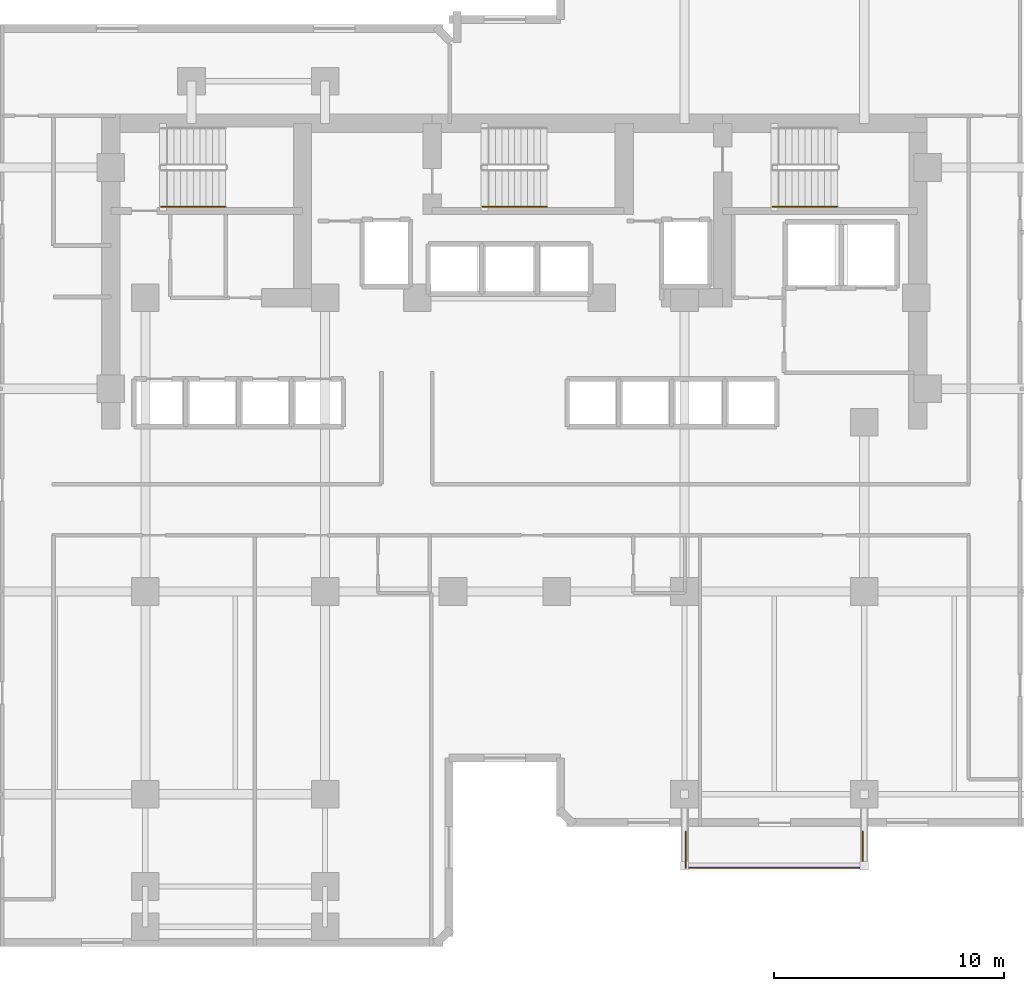
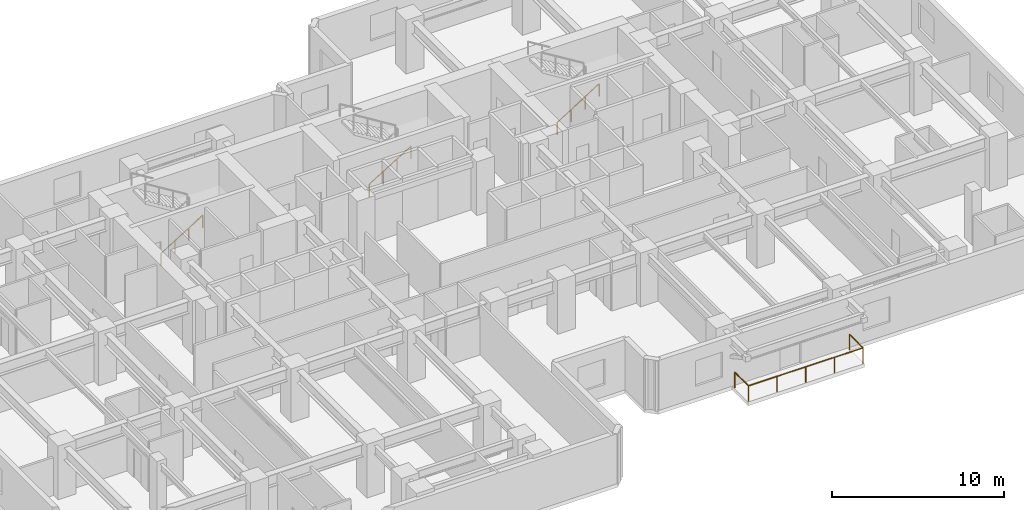
# One storey, part 10 of 11: 5 railings.
"""IFC4 building model written with IfcOpenShell, lengths in metres."""

from ifc_helpers import new_model, si_unit, direction, frame, origin, origin_2d, place, context, subcontext, project, spatial, circle, extrude, material, type_object, element, save


model = new_model("IFC4")

# Units and contexts
model_context = context("Model", 3, precision=1e-05, world=origin(), true_north=direction((0.0, 1.0)))
body_context = subcontext(model_context, "Body", "Model", "MODEL_VIEW")
ifc_project = project(units=[si_unit("LENGTHUNIT", "METRE"), si_unit("AREAUNIT", "SQUARE_METRE"), si_unit("VOLUMEUNIT", "CUBIC_METRE"), si_unit("PLANEANGLEUNIT", "RADIAN"), si_unit("MASSUNIT", "GRAM", prefix="KILO")], contexts=[model_context])

# Site, building, storey
site_placement = place(None, origin())
site = spatial("IfcSite", under=ifc_project, at=site_placement, CompositionType="ELEMENT")
building_placement = place(site_placement, origin())
building = spatial("IfcBuilding", under=site, at=building_placement, Name="Kestravale Grand Hotel", CompositionType="ELEMENT")
storey_placement = place(building_placement, frame((0.0, 0.0, 114.60009765625)))
storey = spatial("IfcBuildingStorey", under=building, at=storey_placement, Name="L28", CompositionType="ELEMENT", Elevation=114.60009765625)

# Railings
ifc_material_1 = material(Name="Champagne-bronze stainless steel and laminated glass guard", Category="steel")
railing_type_1 = type_object("IfcRailingType", Name="RL-EXT-1100", PredefinedType="GUARDRAIL", material=ifc_material_1)
railing_1_placement = place(storey_placement, frame((46.860107421875, 8.010009765625, 0.0)))
element("IfcRailing", 1, at=railing_1_placement, inside=storey, type_object=railing_type_1, Name="L28 outdoor terrace guard 1", PredefinedType="GUARDRAIL", context=body_context, shape_type="SweptSolid", body=[
    extrude(circle(Radius=0.02392578125, at=origin_2d()), frame((0.0, 0.0, 1.09619140625), z_axis=(0.0, 1.0, 0.0), x_axis=(-1.0, 0.0, 0.0)), (0.0, 0.0, 1.0), 1.570068359375),
    extrude(circle(Radius=0.02099609375, at=origin_2d()), origin(), (0.0, 0.0, 1.0), 1.072021484375),
    extrude(circle(Radius=0.02099609375, at=origin_2d()), frame((0.0, 1.570068359375, 0.0)), (0.0, 0.0, 1.0), 1.072021484375),
])
railing_2_placement = place(storey_placement, frame((54.5400390625, 9.580078125, 0.0)))
element("IfcRailing", 2, at=railing_2_placement, inside=storey, type_object=railing_type_1, Name="L28 outdoor terrace guard 2", PredefinedType="GUARDRAIL", context=body_context, shape_type="SweptSolid", body=[
    extrude(circle(Radius=0.02392578125, at=origin_2d()), frame((0.0, 0.0, 1.09619140625), z_axis=(0.0, -1.0, 0.0), x_axis=(1.0, 0.0, 0.0)), (0.0, 0.0, 1.0), 1.570068359375),
    extrude(circle(Radius=0.02392578125, at=origin_2d()), frame((0.0, -1.570068359375, 1.09619140625), z_axis=(-1.0, 0.0, 0.0), x_axis=(0.0, -1.0, 0.0)), (0.0, 0.0, 1.0), 7.679931640625),
    extrude(circle(Radius=0.02099609375, at=origin_2d()), origin(), (0.0, 0.0, 1.0), 1.072021484375),
    extrude(circle(Radius=0.02099609375, at=origin_2d()), frame((0.0, -1.570068359375, 0.0)), (0.0, 0.0, 1.0), 1.072021484375),
    extrude(circle(Radius=0.02099609375, at=origin_2d()), frame((-1.919921875, -1.570068359375, 0.0)), (0.0, 0.0, 1.0), 1.072021484375),
    extrude(circle(Radius=0.02099609375, at=origin_2d()), frame((-3.83984375, -1.570068359375, 0.0)), (0.0, 0.0, 1.0), 1.072021484375),
    extrude(circle(Radius=0.02099609375, at=origin_2d()), frame((-5.760009765625, -1.570068359375, 0.0)), (0.0, 0.0, 1.0), 1.072021484375),
    extrude(circle(Radius=0.02099609375, at=origin_2d()), frame((-7.679931640625, -1.570068359375, 0.0)), (0.0, 0.0, 1.0), 1.072021484375),
])
ifc_material_2 = material(Name="Brushed stainless steel wall handrail", Category="steel")
railing_type_2 = type_object("IfcRailingType", Name="RL-ST-HND900", PredefinedType="HANDRAIL", material=ifc_material_2)
railing_3_placement = place(storey_placement, frame((24.080078125, 36.699951171875, 0.172607421875)))
element("IfcRailing", 3, at=railing_3_placement, inside=storey, type_object=railing_type_2, Name="L28 ST-1 stair handrail 1", PredefinedType="HANDRAIL", context=body_context, shape_type="SweptSolid", body=[
    extrude(circle(Radius=0.02392578125, at=origin_2d()), frame((0.0, 0.0, 0.8759765625), z_axis=(0.851069175582, 0.0, 0.525053576669), x_axis=(0.0, 1.0, 0.0)), (0.0, 0.0, 1.0), 3.289794921875),
    extrude(circle(Radius=0.02099609375, at=origin_2d()), origin(), (0.0, 0.0, 1.0), 0.851806640625),
    extrude(circle(Radius=0.02099609375, at=origin_2d()), frame((0.933349609375, 0.0, 0.57568359375)), (0.0, 0.0, 1.0), 0.851806640625),
    extrude(circle(Radius=0.02099609375, at=origin_2d()), frame((1.866455078125, 0.0, 1.151611328125)), (0.0, 0.0, 1.0), 0.851806640625),
    extrude(circle(Radius=0.02099609375, at=origin_2d()), frame((2.7998046875, 0.0, 1.727294921875)), (0.0, 0.0, 1.0), 0.851806640625),
])
for number, where, name in (
    (4, (38.030029296875, 36.699951171875, 0.172607421875), "L28 ST-2 stair handrail 1"),
    (5, (50.6298828125, 36.699951171875, 0.172607421875), "L28 ST-3 stair handrail 1"),
):
    element("IfcRailing", number, at=place(storey_placement, frame(where)), inside=storey, type_object=railing_type_2, Name=name, PredefinedType="HANDRAIL", context=body_context, shape_type="SweptSolid", body=[
        extrude(circle(Radius=0.02392578125, at=origin_2d()), frame((0.0, 0.0, 0.8759765625), z_axis=(0.851089632645, 0.0, 0.525020415988), x_axis=(0.0, 1.0, 0.0)), (0.0, 0.0, 1.0), 3.2900390625),
        extrude(circle(Radius=0.02099609375, at=origin_2d()), origin(), (0.0, 0.0, 1.0), 0.851806640625),
        extrude(circle(Radius=0.02099609375, at=origin_2d()), frame((0.933349609375, 0.0, 0.57568359375)), (0.0, 0.0, 1.0), 0.851806640625),
        extrude(circle(Radius=0.02099609375, at=origin_2d()), frame((1.86669921875, 0.0, 1.151611328125)), (0.0, 0.0, 1.0), 0.851806640625),
        extrude(circle(Radius=0.02099609375, at=origin_2d()), frame((2.800048828125, 0.0, 1.727294921875)), (0.0, 0.0, 1.0), 0.851806640625),
    ])

save(model, "model.ifc")
